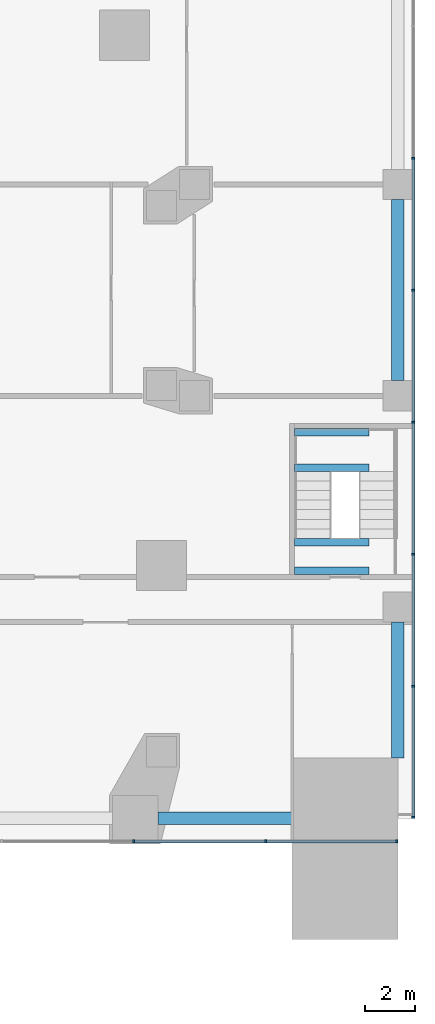
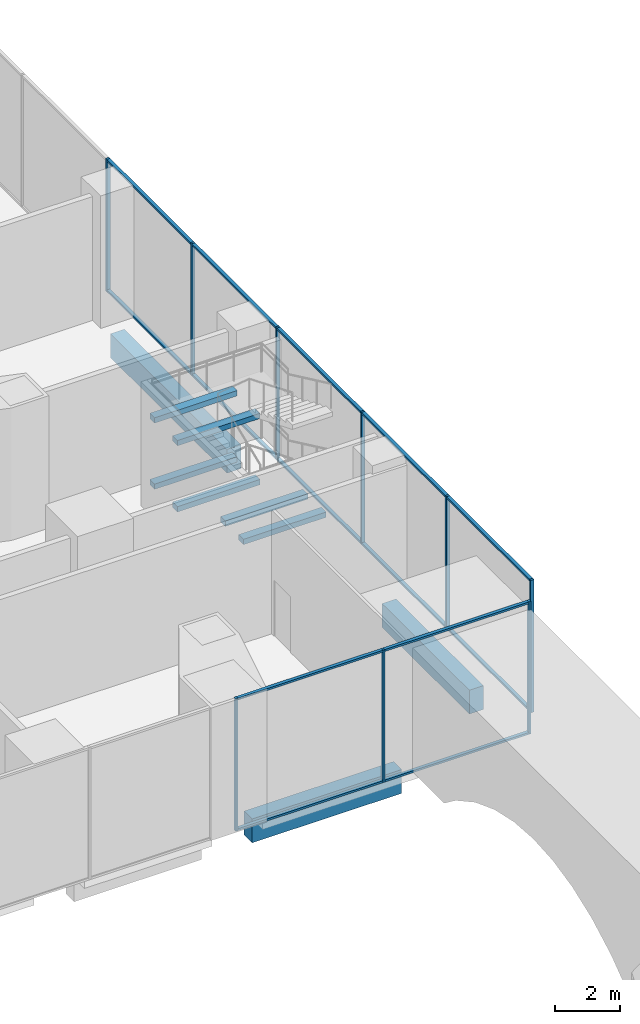
# One storey, part 8 of 28: 23 members, 9 beams, 2 elements without a shape of their own.
"""IFC4 building model written with IfcOpenShell, lengths in metres."""

import ifcopenshell
import ifcopenshell.guid

model = None  # the IFC model being written
_history = None  # IfcOwnerHistory: only IFC2X3 demands one
_inside = {}  # id of a spatial element -> (the spatial element, [elements in it])
_under = {}  # id of a project, library or spatial element -> (it, [spatial elements below it])
_declared = {}  # id of a project -> (the project, [libraries it declares])
_typed = {}  # id of a type object -> (the type object, [elements of that type])
_made_of = {}  # id of a material, layer set ... -> (it, [elements and type objects made of it])


def new_model(schema):
    """Start an empty IFC model of exactly this schema.

    Asked for "IFC4X3", IfcOpenShell would pick the latest addendum, in which some entities
    have other attributes; the version numbers below select the first issue.
    IFC2X3 requires an IfcOwnerHistory on every rooted entity: one is made here for all.
    """
    global model, _history
    if schema == "IFC4X3":
        model = ifcopenshell.file(schema_version=(4, 3, 0, 0))
    else:
        model = ifcopenshell.file(schema=schema)
    _inside.clear()
    _under.clear()
    _declared.clear()
    _typed.clear()
    _made_of.clear()
    _history = None
    if model.schema == "IFC2X3":
        org = make("IfcOrganization", Name="unknown")
        user = make(
            "IfcPersonAndOrganization",
            ThePerson=make("IfcPerson", FamilyName="unknown"),
            TheOrganization=org,
        )
        app = make(
            "IfcApplication",
            ApplicationDeveloper=org,
            Version="unknown",
            ApplicationFullName="unknown",
            ApplicationIdentifier="unknown",
        )
        _history = make(
            "IfcOwnerHistory",
            OwningUser=user,
            OwningApplication=app,
            ChangeAction="ADDED",
            CreationDate=0,
        )
    return model


def make(cls, **values):
    """One entity of the class cls with the attributes given. An attribute that is None is left unset."""
    return model.create_entity(
        cls, **{name: value for name, value in values.items() if value is not None}
    )


def rooted(cls, **values):
    """An entity with a GlobalId (a new one), such as an element, a storey or a relation."""
    return make(cls, GlobalId=ifcopenshell.guid.new(), OwnerHistory=_history, **values)


def si_unit(unit_type, name, prefix=None):
    """IfcSIUnit, for example si_unit("LENGTHUNIT", "METRE", prefix="MILLI")."""
    return make("IfcSIUnit", UnitType=unit_type, Prefix=prefix, Name=name)


def assignment(units):
    """IfcUnitAssignment: the units of a project."""
    return None if units is None else make("IfcUnitAssignment", Units=units)


def point(xyz):
    """IfcCartesianPoint."""
    return None if xyz is None else make("IfcCartesianPoint", Coordinates=xyz)


def direction(xyz):
    """IfcDirection."""
    return None if xyz is None else make("IfcDirection", DirectionRatios=xyz)


def frame(location, z_axis=None, x_axis=None):
    """IfcAxis2Placement3D, a coordinate frame: its origin and axes. An axis left out is left unset."""
    return make(
        "IfcAxis2Placement3D",
        Location=point(location),
        Axis=direction(z_axis),
        RefDirection=direction(x_axis),
    )


def frame_2d(location, x_axis=None):
    """IfcAxis2Placement2D, a coordinate frame in the plane: its origin and x axis."""
    return make(
        "IfcAxis2Placement2D", Location=point(location), RefDirection=direction(x_axis)
    )


def origin():
    """The frame at (0, 0, 0) with its axes left unset."""
    return frame((0.0, 0.0, 0.0))


def origin_2d():
    """The frame at (0, 0) in the plane with its x axis left unset."""
    return frame_2d((0.0, 0.0))


def place(relative_to, where):
    """IfcLocalPlacement: puts the frame where relative to a parent placement (None: the world)."""
    return make(
        "IfcLocalPlacement", PlacementRelTo=relative_to, RelativePlacement=where
    )


def context(
    kind, dimensions, precision=None, world=None, true_north=None, identifier=None
):
    """IfcGeometricRepresentationContext, for example the 3D "Model" context."""
    return make(
        "IfcGeometricRepresentationContext",
        ContextIdentifier=identifier,
        ContextType=kind,
        CoordinateSpaceDimension=dimensions,
        Precision=precision,
        WorldCoordinateSystem=world,
        TrueNorth=true_north,
    )


def subcontext(parent, identifier, kind, view, scale=None):
    """IfcGeometricRepresentationSubContext, for example "Body" below "Model"."""
    return make(
        "IfcGeometricRepresentationSubContext",
        ContextIdentifier=identifier,
        ContextType=kind,
        ParentContext=parent,
        TargetScale=scale,
        TargetView=view,
    )


def project(units=None, contexts=None):
    """IfcProject with its units and contexts."""
    return rooted(
        "IfcProject",
        Name="project",
        RepresentationContexts=contexts,
        UnitsInContext=assignment(units),
    )


def spatial(cls, under=None, at=None, **own):
    """A site, building, storey or space (cls), placed at a placement, below another one or the project."""
    s = rooted(cls, ObjectPlacement=at, **own)
    if under is not None:
        _under.setdefault(under.id(), (under, []))[1].append(s)
    return s


def profile(cls, at=None, kind="AREA", **sizes):
    """A parametric profile (cls). Its sizes go by their IFC names, for example OverallWidth=200.0."""
    return make(cls, ProfileType=kind, Position=at, **sizes)


def rectangle(**sizes):
    """IfcRectangleProfileDef."""
    return profile("IfcRectangleProfileDef", **sizes)


def extrude(swept, where, along, depth):
    """IfcExtrudedAreaSolid: the profile swept, set in the frame where, extruded along a direction by depth."""
    return make(
        "IfcExtrudedAreaSolid",
        SweptArea=swept,
        Position=where,
        ExtrudedDirection=direction(along),
        Depth=depth,
    )


def shape(context_of_items, identifier, shape_type, items):
    """IfcShapeRepresentation: the items that make up one representation, for example the "Body"."""
    return make(
        "IfcShapeRepresentation",
        ContextOfItems=context_of_items,
        RepresentationIdentifier=identifier,
        RepresentationType=shape_type,
        Items=items,
    )


def material(Name=None, Category=None):
    """IfcMaterial."""
    return make("IfcMaterial", Name=Name, Category=Category)


def layer(
    of_material, thickness, ventilated=None, Name=None, Category=None, Priority=None
):
    """IfcMaterialLayer: one layer of a wall or slab, of a material (None: an air gap)."""
    return make(
        "IfcMaterialLayer",
        Material=of_material,
        LayerThickness=thickness,
        IsVentilated=ventilated,
        Name=Name,
        Category=Category,
        Priority=Priority,
    )


def layer_set(layers, Name=None):
    """IfcMaterialLayerSet."""
    return make("IfcMaterialLayerSet", MaterialLayers=layers, LayerSetName=Name)


def material_profile(
    of_material, cross_section, Name=None, Category=None, Priority=None
):
    """IfcMaterialProfile: a cross section and its material."""
    return make(
        "IfcMaterialProfile",
        Name=Name,
        Material=of_material,
        Profile=cross_section,
        Priority=Priority,
        Category=Category,
    )


def profile_set(profiles, Name=None, composite=None):
    """IfcMaterialProfileSet."""
    return make(
        "IfcMaterialProfileSet",
        Name=Name,
        MaterialProfiles=profiles,
        CompositeProfile=composite,
    )


def made_of(thing, what):
    """Note that an element or type object is made of a material, layer set ...; save() writes the relation."""
    if what is not None:
        _made_of.setdefault(what.id(), (what, []))[1].append(thing)
    return thing


def type_object(cls, material=None, **own):
    """A type object (cls), such as IfcWallType, which elements share."""
    return made_of(rooted(cls, **own), material)


def element(
    cls,
    number,
    at=None,
    inside=None,
    cuts=None,
    type_object=None,
    material=None,
    context=None,
    identifier="Body",
    shape_type=None,
    held_by="IfcProductDefinitionShape",
    body=None,
    shapes=None,
    **own,
):
    """One element of the class cls, such as IfcWall. Its Tag is "e" and its number.

    at: its placement. inside: the storey or other place that contains it. cuts: it is an
    opening in that element (IfcRelVoidsElement). A single representation is given by context,
    identifier, shape_type and body (its items); several are given by shapes. held_by: the class
    of the entity that holds the representations. save() writes the other relations.
    """
    e = rooted(cls, Tag="e%d" % number, ObjectPlacement=at, **own)
    if body is not None:
        shapes = [shape(context, identifier, shape_type, body)]
    if shapes is not None:
        e.Representation = make(held_by, Representations=shapes)
    if inside is not None:
        _inside.setdefault(inside.id(), (inside, []))[1].append(e)
    if cuts is not None:
        rooted(
            "IfcRelVoidsElement", RelatingBuildingElement=cuts, RelatedOpeningElement=e
        )
    if type_object is not None:
        _typed.setdefault(type_object.id(), (type_object, []))[1].append(e)
    return made_of(e, material)


def aggregate(whole, parts):
    """IfcRelAggregates: a whole, such as a stair, and the parts it consists of."""
    return rooted("IfcRelAggregates", RelatingObject=whole, RelatedObjects=parts)


def save(model, path):
    """Write the relations noted so far, then the file.

    IfcRelAggregates (storeys below a building ...), IfcRelContainedInSpatialStructure (elements
    in a storey), IfcRelDefinesByType, IfcRelAssociatesMaterial and IfcRelDeclares: one each for
    every whole, place, type object, material and project.
    """
    for whole, parts in _under.values():
        aggregate(whole, parts)
    for where, things in _inside.values():
        rooted(
            "IfcRelContainedInSpatialStructure",
            RelatedElements=things,
            RelatingStructure=where,
        )
    for kind, things in _typed.values():
        rooted("IfcRelDefinesByType", RelatedObjects=things, RelatingType=kind)
    for what, things in _made_of.values():
        rooted("IfcRelAssociatesMaterial", RelatedObjects=things, RelatingMaterial=what)
    for by, libraries in _declared.values():
        rooted("IfcRelDeclares", RelatingContext=by, RelatedDefinitions=libraries)
    model.write(path)


model = new_model("IFC4")

# Units and contexts
model_context = context("Model", 3, precision=1e-05, world=origin(), true_north=direction((0.0, 1.0)))
body_context = subcontext(model_context, "Body", "Model", "MODEL_VIEW")
ifc_project = project(units=[si_unit("LENGTHUNIT", "METRE"), si_unit("AREAUNIT", "SQUARE_METRE"), si_unit("VOLUMEUNIT", "CUBIC_METRE"), si_unit("PLANEANGLEUNIT", "RADIAN"), si_unit("MASSUNIT", "GRAM", prefix="KILO")], contexts=[model_context])

# Site, building, storey
site_placement = place(None, origin())
site = spatial("IfcSite", under=ifc_project, at=site_placement, CompositionType="ELEMENT")
building_placement = place(site_placement, origin())
building = spatial("IfcBuilding", under=site, at=building_placement, Name="Marenta Gate Hotel Tower", CompositionType="ELEMENT")
storey_placement = place(building_placement, frame((0.0, 0.0, 26.0)))
storey = spatial("IfcBuildingStorey", under=building, at=storey_placement, Name="L04", CompositionType="ELEMENT", Elevation=26.0)

# Curtain wall, members
ifc_material_1 = material(Name="Tinted insulated glass in bronze anodised frame", Category="glass")
ifc_layer = layer(ifc_material_1, 0.1201171875)
ifc_layer_set = layer_set([ifc_layer], Name="Tinted insulated glass in bronze anodised frame")
curtain_wall_type = type_object("IfcCurtainWallType", Name="Wellness glazing CW7", PredefinedType="NOTDEFINED", material=ifc_layer_set)
curtain_wall_1_placement = place(storey_placement, origin())
curtain_wall_1 = element("IfcCurtainWall", 1, at=curtain_wall_1_placement, inside=storey, type_object=curtain_wall_type, Name="CW7 run NB-S100", PredefinedType="NOTDEFINED")
ifc_material_2 = material(Name="Bronze anodised aluminium", Category="aluminium")
ifc_material_profile_1 = material_profile(ifc_material_2, rectangle(XDim=0.1201171875, YDim=0.074951171875, at=origin_2d()), Name="Mullion CW7 75x120 bronze anodised aluminium")
ifc_profile_set_1 = profile_set([ifc_material_profile_1], Name="Bronze anodised aluminium")
member_type_1 = type_object("IfcMemberType", Name="Mullion CW7 75x120 bronze anodised aluminium", PredefinedType="MULLION", material=ifc_profile_set_1)
member_1_placement = place(storey_placement, frame((27.300048828125, -0.9140625, 0.0), z_axis=(0.0, 0.0, 1.0), x_axis=(0.0, 1.0, 0.0)))
member_1 = element("IfcMember", 2, at=member_1_placement, type_object=member_type_1, Name="CW7 mullion 3", PredefinedType="MULLION", context=body_context, shape_type="SweptSolid", body=[
    extrude(rectangle(XDim=0.1201171875, YDim=0.074951171875, at=origin_2d()), origin(), (0.0, 0.0, 1.0), 5.0),
])
member_2_placement = place(storey_placement, frame((32.550048828125, -0.9140625, 0.0), z_axis=(0.0, 0.0, 1.0), x_axis=(0.0, 1.0, 0.0)))
member_2 = element("IfcMember", 3, at=member_2_placement, type_object=member_type_1, Name="CW7 mullion 4", PredefinedType="MULLION", context=body_context, shape_type="SweptSolid", body=[
    extrude(rectangle(XDim=0.1201171875, YDim=0.074951171875, at=origin_2d()), origin(), (0.0, 0.0, 1.0), 5.0),
])
member_3_placement = place(storey_placement, frame((37.762451171875, -0.9140625, 0.0), z_axis=(0.0, 0.0, 1.0), x_axis=(0.0, 1.0, 0.0)))
member_3 = element("IfcMember", 4, at=member_3_placement, type_object=member_type_1, Name="CW7 mullion 5", PredefinedType="MULLION", context=body_context, shape_type="SweptSolid", body=[
    extrude(rectangle(XDim=0.1201171875, YDim=0.074951171875, at=origin_2d()), origin(), (0.0, 0.0, 1.0), 5.0),
])

curtain_wall_2_placement = place(storey_placement, origin())
curtain_wall_2 = element("IfcCurtainWall", 5, at=curtain_wall_2_placement, inside=storey, type_object=curtain_wall_type, Name="CW7 run NB-E000", PredefinedType="NOTDEFINED")
member_4_placement = place(storey_placement, frame((38.4140625, 0.03759765625, 0.0), z_axis=(0.0, 0.0, 1.0), x_axis=(-1.0, 0.0, 0.0)))
member_4 = element("IfcMember", 6, at=member_4_placement, type_object=member_type_1, Name="CW7 mullion 1", PredefinedType="MULLION", context=body_context, shape_type="SweptSolid", body=[
    extrude(rectangle(XDim=0.1201171875, YDim=0.074951171875, at=origin_2d()), origin(), (0.0, 0.0, 1.0), 5.0),
])
member_5_placement = place(storey_placement, frame((38.4140625, 5.25, 0.0), z_axis=(0.0, 0.0, 1.0), x_axis=(-1.0, 0.0, 0.0)))
member_5 = element("IfcMember", 7, at=member_5_placement, type_object=member_type_1, Name="CW7 mullion 2", PredefinedType="MULLION", context=body_context, shape_type="SweptSolid", body=[
    extrude(rectangle(XDim=0.1201171875, YDim=0.074951171875, at=origin_2d()), origin(), (0.0, 0.0, 1.0), 5.0),
])
member_6_placement = place(storey_placement, frame((38.4140625, 10.5, 0.0), z_axis=(0.0, 0.0, 1.0), x_axis=(-1.0, 0.0, 0.0)))
member_6 = element("IfcMember", 8, at=member_6_placement, type_object=member_type_1, Name="CW7 mullion 3", PredefinedType="MULLION", context=body_context, shape_type="SweptSolid", body=[
    extrude(rectangle(XDim=0.1201171875, YDim=0.074951171875, at=origin_2d()), origin(), (0.0, 0.0, 1.0), 5.0),
])
member_7_placement = place(storey_placement, frame((38.4140625, 15.75, 0.0), z_axis=(0.0, 0.0, 1.0), x_axis=(-1.0, 0.0, 0.0)))
member_7 = element("IfcMember", 9, at=member_7_placement, type_object=member_type_1, Name="CW7 mullion 4", PredefinedType="MULLION", context=body_context, shape_type="SweptSolid", body=[
    extrude(rectangle(XDim=0.1201171875, YDim=0.074951171875, at=origin_2d()), origin(), (0.0, 0.0, 1.0), 5.0),
])
member_8_placement = place(storey_placement, frame((38.4140625, 21.0, 0.0), z_axis=(0.0, 0.0, 1.0), x_axis=(-1.0, 0.0, 0.0)))
member_8 = element("IfcMember", 10, at=member_8_placement, type_object=member_type_1, Name="CW7 mullion 5", PredefinedType="MULLION", context=body_context, shape_type="SweptSolid", body=[
    extrude(rectangle(XDim=0.1201171875, YDim=0.074951171875, at=origin_2d()), origin(), (0.0, 0.0, 1.0), 5.0),
])
member_9_placement = place(storey_placement, frame((38.4140625, 26.25, 0.0), z_axis=(0.0, 0.0, 1.0), x_axis=(-1.0, 0.0, 0.0)))
member_9 = element("IfcMember", 11, at=member_9_placement, type_object=member_type_1, Name="CW7 mullion 6", PredefinedType="MULLION", context=body_context, shape_type="SweptSolid", body=[
    extrude(rectangle(XDim=0.1201171875, YDim=0.074951171875, at=origin_2d()), origin(), (0.0, 0.0, 1.0), 5.0),
])

# Beams
ifc_material_3 = material(Name="Concrete C60", Category="concrete")
ifc_material_profile_2 = material_profile(ifc_material_3, rectangle(XDim=0.5, YDim=0.89990234375, at=origin_2d()), Name="500 x 900")
ifc_profile_set_2 = profile_set([ifc_material_profile_2], Name="Concrete C60")
beam_type_1 = type_object("IfcBeamType", Name="Podium edge beam 500 x 900 C60", PredefinedType="BEAM", material=ifc_profile_set_2)
beam_1_placement = place(storey_placement, frame((28.262939453125, 0.0, -0.77001953125), z_axis=(1.0, 0.0, 0.0), x_axis=(0.0, 1.0, 0.0)))
element("IfcBeam", 12, at=beam_1_placement, inside=storey, type_object=beam_type_1, Name="L04-PBM-156", PredefinedType="BEAM", context=body_context, shape_type="SweptSolid", body=[
    extrude(rectangle(XDim=0.5, YDim=0.89990234375, at=origin_2d()), origin(), (0.0, 0.0, 1.0), 5.337158203125),
])
beam_2_placement = place(storey_placement, frame((37.800048828125, 2.39990234375, -0.77001953125), z_axis=(0.0, 1.0, 0.0), x_axis=(-1.0, 0.0, 0.0)))
element("IfcBeam", 13, at=beam_2_placement, inside=storey, type_object=beam_type_1, Name="L04-PBM-157", PredefinedType="BEAM", context=body_context, shape_type="SweptSolid", body=[
    extrude(rectangle(XDim=0.5, YDim=0.89990234375, at=origin_2d()), origin(), (0.0, 0.0, 1.0), 5.400146484375),
])
beam_3_placement = place(storey_placement, frame((37.800048828125, 17.39990234375, -0.77001953125), z_axis=(0.0, 1.0, 0.0), x_axis=(-1.0, 0.0, 0.0)))
element("IfcBeam", 14, at=beam_3_placement, inside=storey, type_object=beam_type_1, Name="L04-PBM-158", PredefinedType="BEAM", context=body_context, shape_type="SweptSolid", body=[
    extrude(rectangle(XDim=0.5, YDim=0.89990234375, at=origin_2d()), origin(), (0.0, 0.0, 1.0), 7.2001953125),
])
ifc_material_4 = material(Name="Concrete C40", Category="concrete")
ifc_material_profile_3 = material_profile(ifc_material_4, rectangle(XDim=0.300048828125, YDim=0.199951171875, at=origin_2d()), Name="300 x 200")
ifc_profile_set_3 = profile_set([ifc_material_profile_3], Name="Concrete C40")
beam_type_2 = type_object("IfcBeamType", Name="Stair landing trimmer 300 x 200 C40", PredefinedType="BEAM", material=ifc_profile_set_3)
for number, where, z_axis, x_axis, name in (
    (15, (33.699951171875, 13.93994140625, 0.949951171875), (1.0, 0.0, 0.0), (0.0, 1.0, 0.0), "L04-PX7-LT-1"),
    (16, (33.699951171875, 15.35009765625, 0.949951171875), (1.0, 0.0, 0.0), (0.0, 1.0, 0.0), "L04-PX7-LT-2"),
    (17, (33.699951171875, 9.85009765625, 2.199951171875), (1.0, 0.0, 0.0), (0.0, 1.0, 0.0), "L04-PX7-LT-3"),
    (18, (33.699951171875, 10.97998046875, 2.199951171875), (1.0, 0.0, 0.0), (0.0, 1.0, 0.0), "L04-PX7-LT-4"),
    (19, (33.699951171875, 13.93994140625, 3.449951171875), (1.0, 0.0, 0.0), (0.0, 1.0, 0.0), "L04-PX7-LT-5"),
    (20, (33.699951171875, 15.35009765625, 3.449951171875), (1.0, 0.0, 0.0), (0.0, 1.0, 0.0), "L04-PX7-LT-6"),
):
    element("IfcBeam", number, at=place(storey_placement, frame(where, z_axis=z_axis, x_axis=x_axis)), inside=storey, type_object=beam_type_2, Name=name, PredefinedType="BEAM", context=body_context, shape_type="SweptSolid", body=[
        extrude(rectangle(XDim=0.300048828125, YDim=0.199951171875, at=origin_2d()), origin(), (0.0, 0.0, 1.0), 2.949951171875),
    ])

# Member
ifc_material_5 = material(Name="Bronze anodised aluminium", Category="aluminium")
ifc_material_profile_4 = material_profile(ifc_material_5, rectangle(XDim=0.1201171875, YDim=0.074951171875, at=origin_2d()), Name="Transom CW7 75x120 bronze anodised aluminium")
ifc_profile_set_4 = profile_set([ifc_material_profile_4], Name="Bronze anodised aluminium")
member_type_2 = type_object("IfcMemberType", Name="Transom CW7 75x120 bronze anodised aluminium", PredefinedType="USERDEFINED", material=ifc_profile_set_4)
member_10_placement = place(storey_placement, frame((27.33740234375, -0.9140625, 0.03759765625), z_axis=(1.0, 0.0, 0.0), x_axis=(0.0, 1.0, 0.0)))
member_10 = element("IfcMember", 21, at=member_10_placement, type_object=member_type_2, Name="CW7 transom 3.1", ObjectType="TRANSOM", PredefinedType="USERDEFINED", context=body_context, shape_type="SweptSolid", body=[
    extrude(rectangle(XDim=0.1201171875, YDim=0.074951171875, at=origin_2d()), origin(), (0.0, 0.0, 1.0), 5.175048828125),
])

member_11_placement = place(storey_placement, frame((27.33740234375, -0.9140625, 4.96240234375), z_axis=(1.0, 0.0, 0.0), x_axis=(0.0, 1.0, 0.0)))
member_11 = element("IfcMember", 22, at=member_11_placement, type_object=member_type_2, Name="CW7 transom 3.2", ObjectType="TRANSOM", PredefinedType="USERDEFINED", context=body_context, shape_type="SweptSolid", body=[
    extrude(rectangle(XDim=0.1201171875, YDim=0.074951171875, at=origin_2d()), origin(), (0.0, 0.0, 1.0), 5.175048828125),
])

member_12_placement = place(storey_placement, frame((32.58740234375, -0.9140625, 0.03759765625), z_axis=(1.0, 0.0, 0.0), x_axis=(0.0, 1.0, 0.0)))
member_12 = element("IfcMember", 23, at=member_12_placement, type_object=member_type_2, Name="CW7 transom 4.1", ObjectType="TRANSOM", PredefinedType="USERDEFINED", context=body_context, shape_type="SweptSolid", body=[
    extrude(rectangle(XDim=0.1201171875, YDim=0.074951171875, at=origin_2d()), origin(), (0.0, 0.0, 1.0), 5.1376953125),
])

member_13_placement = place(storey_placement, frame((32.58740234375, -0.9140625, 4.96240234375), z_axis=(1.0, 0.0, 0.0), x_axis=(0.0, 1.0, 0.0)))
member_13 = element("IfcMember", 24, at=member_13_placement, type_object=member_type_2, Name="CW7 transom 4.2", ObjectType="TRANSOM", PredefinedType="USERDEFINED", context=body_context, shape_type="SweptSolid", body=[
    extrude(rectangle(XDim=0.1201171875, YDim=0.074951171875, at=origin_2d()), origin(), (0.0, 0.0, 1.0), 5.1376953125),
])

aggregate(curtain_wall_1, [member_1, member_2, member_3, member_10, member_11, member_12, member_13])

member_14_placement = place(storey_placement, frame((38.4140625, 0.074951171875, 0.03759765625), z_axis=(0.0, 1.0, 0.0), x_axis=(-1.0, 0.0, 0.0)))
member_14 = element("IfcMember", 25, at=member_14_placement, type_object=member_type_2, Name="CW7 transom 1.1", ObjectType="TRANSOM", PredefinedType="USERDEFINED", context=body_context, shape_type="SweptSolid", body=[
    extrude(rectangle(XDim=0.1201171875, YDim=0.074951171875, at=origin_2d()), origin(), (0.0, 0.0, 1.0), 5.137451171875),
])

member_15_placement = place(storey_placement, frame((38.4140625, 0.074951171875, 4.96240234375), z_axis=(0.0, 1.0, 0.0), x_axis=(-1.0, 0.0, 0.0)))
member_15 = element("IfcMember", 26, at=member_15_placement, type_object=member_type_2, Name="CW7 transom 1.2", ObjectType="TRANSOM", PredefinedType="USERDEFINED", context=body_context, shape_type="SweptSolid", body=[
    extrude(rectangle(XDim=0.1201171875, YDim=0.074951171875, at=origin_2d()), origin(), (0.0, 0.0, 1.0), 5.137451171875),
])

member_16_placement = place(storey_placement, frame((38.4140625, 5.28759765625, 0.03759765625), z_axis=(0.0, 1.0, 0.0), x_axis=(-1.0, 0.0, 0.0)))
member_16 = element("IfcMember", 27, at=member_16_placement, type_object=member_type_2, Name="CW7 transom 2.1", ObjectType="TRANSOM", PredefinedType="USERDEFINED", context=body_context, shape_type="SweptSolid", body=[
    extrude(rectangle(XDim=0.1201171875, YDim=0.074951171875, at=origin_2d()), origin(), (0.0, 0.0, 1.0), 5.1748046875),
])

member_17_placement = place(storey_placement, frame((38.4140625, 5.28759765625, 4.96240234375), z_axis=(0.0, 1.0, 0.0), x_axis=(-1.0, 0.0, 0.0)))
member_17 = element("IfcMember", 28, at=member_17_placement, type_object=member_type_2, Name="CW7 transom 2.2", ObjectType="TRANSOM", PredefinedType="USERDEFINED", context=body_context, shape_type="SweptSolid", body=[
    extrude(rectangle(XDim=0.1201171875, YDim=0.074951171875, at=origin_2d()), origin(), (0.0, 0.0, 1.0), 5.1748046875),
])

member_18_placement = place(storey_placement, frame((38.4140625, 10.53759765625, 0.03759765625), z_axis=(0.0, 1.0, 0.0), x_axis=(-1.0, 0.0, 0.0)))
member_18 = element("IfcMember", 29, at=member_18_placement, type_object=member_type_2, Name="CW7 transom 3.1", ObjectType="TRANSOM", PredefinedType="USERDEFINED", context=body_context, shape_type="SweptSolid", body=[
    extrude(rectangle(XDim=0.1201171875, YDim=0.074951171875, at=origin_2d()), origin(), (0.0, 0.0, 1.0), 5.1748046875),
])

member_19_placement = place(storey_placement, frame((38.4140625, 10.53759765625, 4.96240234375), z_axis=(0.0, 1.0, 0.0), x_axis=(-1.0, 0.0, 0.0)))
member_19 = element("IfcMember", 30, at=member_19_placement, type_object=member_type_2, Name="CW7 transom 3.2", ObjectType="TRANSOM", PredefinedType="USERDEFINED", context=body_context, shape_type="SweptSolid", body=[
    extrude(rectangle(XDim=0.1201171875, YDim=0.074951171875, at=origin_2d()), origin(), (0.0, 0.0, 1.0), 5.1748046875),
])

member_20_placement = place(storey_placement, frame((38.4140625, 15.78759765625, 0.03759765625), z_axis=(0.0, 1.0, 0.0), x_axis=(-1.0, 0.0, 0.0)))
member_20 = element("IfcMember", 31, at=member_20_placement, type_object=member_type_2, Name="CW7 transom 4.1", ObjectType="TRANSOM", PredefinedType="USERDEFINED", context=body_context, shape_type="SweptSolid", body=[
    extrude(rectangle(XDim=0.1201171875, YDim=0.074951171875, at=origin_2d()), origin(), (0.0, 0.0, 1.0), 5.1748046875),
])

member_21_placement = place(storey_placement, frame((38.4140625, 15.78759765625, 4.96240234375), z_axis=(0.0, 1.0, 0.0), x_axis=(-1.0, 0.0, 0.0)))
member_21 = element("IfcMember", 32, at=member_21_placement, type_object=member_type_2, Name="CW7 transom 4.2", ObjectType="TRANSOM", PredefinedType="USERDEFINED", context=body_context, shape_type="SweptSolid", body=[
    extrude(rectangle(XDim=0.1201171875, YDim=0.074951171875, at=origin_2d()), origin(), (0.0, 0.0, 1.0), 5.1748046875),
])

member_22_placement = place(storey_placement, frame((38.4140625, 21.03759765625, 0.03759765625), z_axis=(0.0, 1.0, 0.0), x_axis=(-1.0, 0.0, 0.0)))
member_22 = element("IfcMember", 33, at=member_22_placement, type_object=member_type_2, Name="CW7 transom 5.1", ObjectType="TRANSOM", PredefinedType="USERDEFINED", context=body_context, shape_type="SweptSolid", body=[
    extrude(rectangle(XDim=0.1201171875, YDim=0.074951171875, at=origin_2d()), origin(), (0.0, 0.0, 1.0), 5.1748046875),
])

member_23_placement = place(storey_placement, frame((38.4140625, 21.03759765625, 4.96240234375), z_axis=(0.0, 1.0, 0.0), x_axis=(-1.0, 0.0, 0.0)))
member_23 = element("IfcMember", 34, at=member_23_placement, type_object=member_type_2, Name="CW7 transom 5.2", ObjectType="TRANSOM", PredefinedType="USERDEFINED", context=body_context, shape_type="SweptSolid", body=[
    extrude(rectangle(XDim=0.1201171875, YDim=0.074951171875, at=origin_2d()), origin(), (0.0, 0.0, 1.0), 5.1748046875),
])

aggregate(curtain_wall_2, [member_4, member_5, member_6, member_7, member_8, member_9, member_14, member_15, member_16, member_17, member_18, member_19, member_20, member_21, member_22, member_23])

save(model, "model.ifc")
